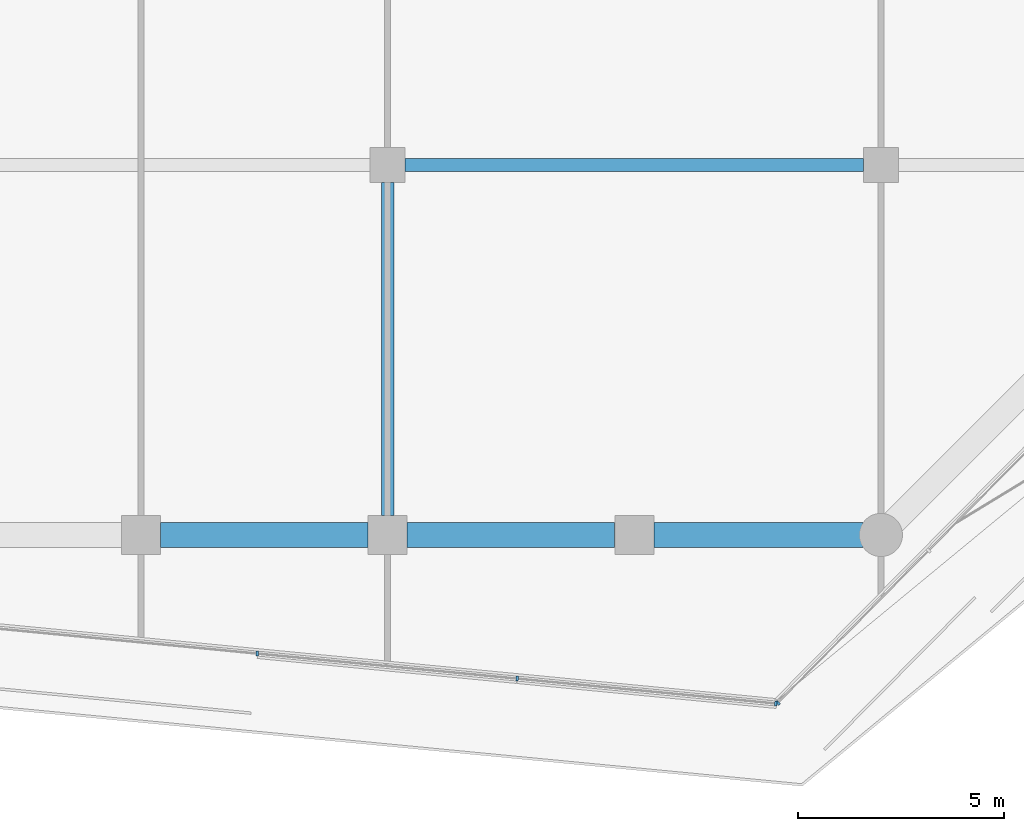
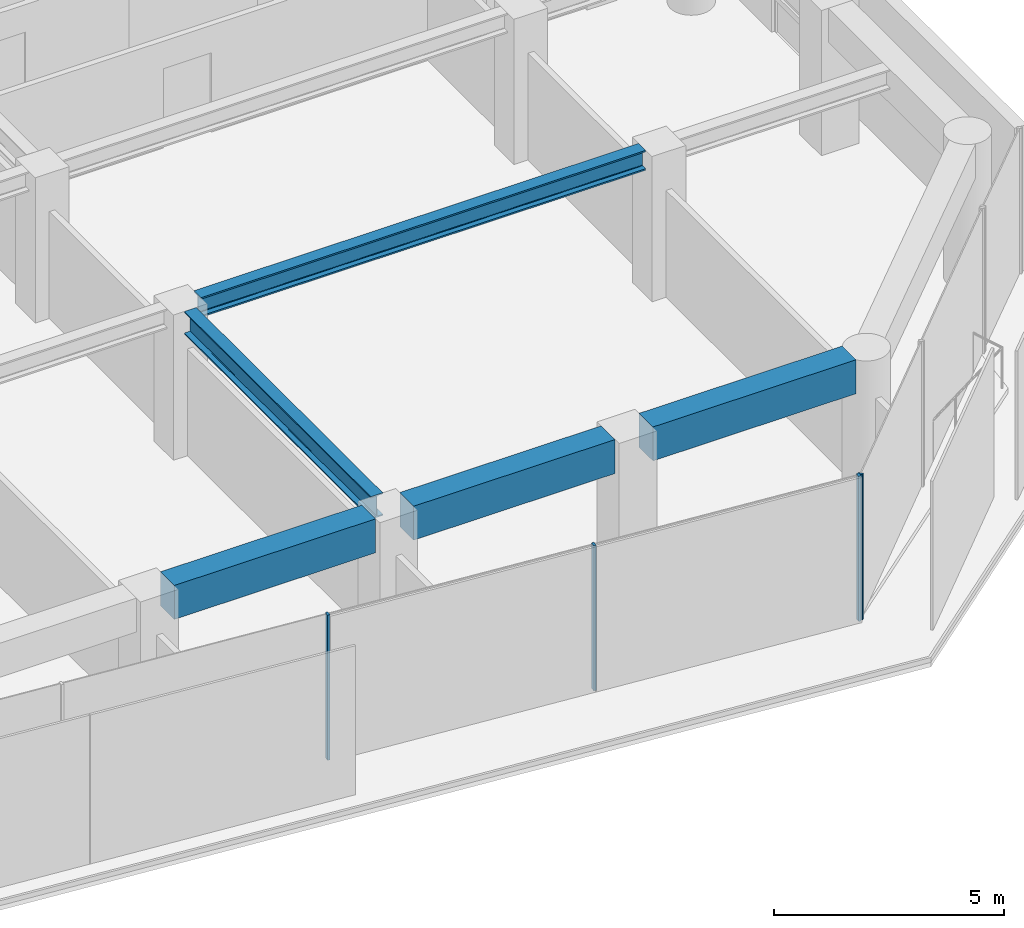
# One storey, part 8 of 31: 5 beams, 4 members, 2 elements without a shape of their own.
"""IFC4 building model written with IfcOpenShell, lengths in metres."""

import ifcopenshell
import ifcopenshell.guid

model = None  # the IFC model being written
_history = None  # IfcOwnerHistory: only IFC2X3 demands one
_inside = {}  # id of a spatial element -> (the spatial element, [elements in it])
_under = {}  # id of a project, library or spatial element -> (it, [spatial elements below it])
_declared = {}  # id of a project -> (the project, [libraries it declares])
_typed = {}  # id of a type object -> (the type object, [elements of that type])
_made_of = {}  # id of a material, layer set ... -> (it, [elements and type objects made of it])


def new_model(schema):
    """Start an empty IFC model of exactly this schema.

    Asked for "IFC4X3", IfcOpenShell would pick the latest addendum, in which some entities
    have other attributes; the version numbers below select the first issue.
    IFC2X3 requires an IfcOwnerHistory on every rooted entity: one is made here for all.
    """
    global model, _history
    if schema == "IFC4X3":
        model = ifcopenshell.file(schema_version=(4, 3, 0, 0))
    else:
        model = ifcopenshell.file(schema=schema)
    _inside.clear()
    _under.clear()
    _declared.clear()
    _typed.clear()
    _made_of.clear()
    _history = None
    if model.schema == "IFC2X3":
        org = make("IfcOrganization", Name="unknown")
        user = make(
            "IfcPersonAndOrganization",
            ThePerson=make("IfcPerson", FamilyName="unknown"),
            TheOrganization=org,
        )
        app = make(
            "IfcApplication",
            ApplicationDeveloper=org,
            Version="unknown",
            ApplicationFullName="unknown",
            ApplicationIdentifier="unknown",
        )
        _history = make(
            "IfcOwnerHistory",
            OwningUser=user,
            OwningApplication=app,
            ChangeAction="ADDED",
            CreationDate=0,
        )
    return model


def make(cls, **values):
    """One entity of the class cls with the attributes given. An attribute that is None is left unset."""
    return model.create_entity(
        cls, **{name: value for name, value in values.items() if value is not None}
    )


def rooted(cls, **values):
    """An entity with a GlobalId (a new one), such as an element, a storey or a relation."""
    return make(cls, GlobalId=ifcopenshell.guid.new(), OwnerHistory=_history, **values)


def si_unit(unit_type, name, prefix=None):
    """IfcSIUnit, for example si_unit("LENGTHUNIT", "METRE", prefix="MILLI")."""
    return make("IfcSIUnit", UnitType=unit_type, Prefix=prefix, Name=name)


def assignment(units):
    """IfcUnitAssignment: the units of a project."""
    return None if units is None else make("IfcUnitAssignment", Units=units)


def point(xyz):
    """IfcCartesianPoint."""
    return None if xyz is None else make("IfcCartesianPoint", Coordinates=xyz)


def direction(xyz):
    """IfcDirection."""
    return None if xyz is None else make("IfcDirection", DirectionRatios=xyz)


def frame(location, z_axis=None, x_axis=None):
    """IfcAxis2Placement3D, a coordinate frame: its origin and axes. An axis left out is left unset."""
    return make(
        "IfcAxis2Placement3D",
        Location=point(location),
        Axis=direction(z_axis),
        RefDirection=direction(x_axis),
    )


def frame_2d(location, x_axis=None):
    """IfcAxis2Placement2D, a coordinate frame in the plane: its origin and x axis."""
    return make(
        "IfcAxis2Placement2D", Location=point(location), RefDirection=direction(x_axis)
    )


def origin():
    """The frame at (0, 0, 0) with its axes left unset."""
    return frame((0.0, 0.0, 0.0))


def origin_2d():
    """The frame at (0, 0) in the plane with its x axis left unset."""
    return frame_2d((0.0, 0.0))


def place(relative_to, where):
    """IfcLocalPlacement: puts the frame where relative to a parent placement (None: the world)."""
    return make(
        "IfcLocalPlacement", PlacementRelTo=relative_to, RelativePlacement=where
    )


def context(
    kind, dimensions, precision=None, world=None, true_north=None, identifier=None
):
    """IfcGeometricRepresentationContext, for example the 3D "Model" context."""
    return make(
        "IfcGeometricRepresentationContext",
        ContextIdentifier=identifier,
        ContextType=kind,
        CoordinateSpaceDimension=dimensions,
        Precision=precision,
        WorldCoordinateSystem=world,
        TrueNorth=true_north,
    )


def subcontext(parent, identifier, kind, view, scale=None):
    """IfcGeometricRepresentationSubContext, for example "Body" below "Model"."""
    return make(
        "IfcGeometricRepresentationSubContext",
        ContextIdentifier=identifier,
        ContextType=kind,
        ParentContext=parent,
        TargetScale=scale,
        TargetView=view,
    )


def project(units=None, contexts=None):
    """IfcProject with its units and contexts."""
    return rooted(
        "IfcProject",
        Name="project",
        RepresentationContexts=contexts,
        UnitsInContext=assignment(units),
    )


def spatial(cls, under=None, at=None, **own):
    """A site, building, storey or space (cls), placed at a placement, below another one or the project."""
    s = rooted(cls, ObjectPlacement=at, **own)
    if under is not None:
        _under.setdefault(under.id(), (under, []))[1].append(s)
    return s


def profile(cls, at=None, kind="AREA", **sizes):
    """A parametric profile (cls). Its sizes go by their IFC names, for example OverallWidth=200.0."""
    return make(cls, ProfileType=kind, Position=at, **sizes)


def rectangle(**sizes):
    """IfcRectangleProfileDef."""
    return profile("IfcRectangleProfileDef", **sizes)


def i_section(**sizes):
    """IfcIShapeProfileDef."""
    return profile("IfcIShapeProfileDef", **sizes)


def extrude(swept, where, along, depth):
    """IfcExtrudedAreaSolid: the profile swept, set in the frame where, extruded along a direction by depth."""
    return make(
        "IfcExtrudedAreaSolid",
        SweptArea=swept,
        Position=where,
        ExtrudedDirection=direction(along),
        Depth=depth,
    )


def shape(context_of_items, identifier, shape_type, items):
    """IfcShapeRepresentation: the items that make up one representation, for example the "Body"."""
    return make(
        "IfcShapeRepresentation",
        ContextOfItems=context_of_items,
        RepresentationIdentifier=identifier,
        RepresentationType=shape_type,
        Items=items,
    )


def material(Name=None, Category=None):
    """IfcMaterial."""
    return make("IfcMaterial", Name=Name, Category=Category)


def layer(
    of_material, thickness, ventilated=None, Name=None, Category=None, Priority=None
):
    """IfcMaterialLayer: one layer of a wall or slab, of a material (None: an air gap)."""
    return make(
        "IfcMaterialLayer",
        Material=of_material,
        LayerThickness=thickness,
        IsVentilated=ventilated,
        Name=Name,
        Category=Category,
        Priority=Priority,
    )


def layer_set(layers, Name=None):
    """IfcMaterialLayerSet."""
    return make("IfcMaterialLayerSet", MaterialLayers=layers, LayerSetName=Name)


def material_profile(
    of_material, cross_section, Name=None, Category=None, Priority=None
):
    """IfcMaterialProfile: a cross section and its material."""
    return make(
        "IfcMaterialProfile",
        Name=Name,
        Material=of_material,
        Profile=cross_section,
        Priority=Priority,
        Category=Category,
    )


def profile_set(profiles, Name=None, composite=None):
    """IfcMaterialProfileSet."""
    return make(
        "IfcMaterialProfileSet",
        Name=Name,
        MaterialProfiles=profiles,
        CompositeProfile=composite,
    )


def made_of(thing, what):
    """Note that an element or type object is made of a material, layer set ...; save() writes the relation."""
    if what is not None:
        _made_of.setdefault(what.id(), (what, []))[1].append(thing)
    return thing


def type_object(cls, material=None, **own):
    """A type object (cls), such as IfcWallType, which elements share."""
    return made_of(rooted(cls, **own), material)


def element(
    cls,
    number,
    at=None,
    inside=None,
    cuts=None,
    type_object=None,
    material=None,
    context=None,
    identifier="Body",
    shape_type=None,
    held_by="IfcProductDefinitionShape",
    body=None,
    shapes=None,
    **own,
):
    """One element of the class cls, such as IfcWall. Its Tag is "e" and its number.

    at: its placement. inside: the storey or other place that contains it. cuts: it is an
    opening in that element (IfcRelVoidsElement). A single representation is given by context,
    identifier, shape_type and body (its items); several are given by shapes. held_by: the class
    of the entity that holds the representations. save() writes the other relations.
    """
    e = rooted(cls, Tag="e%d" % number, ObjectPlacement=at, **own)
    if body is not None:
        shapes = [shape(context, identifier, shape_type, body)]
    if shapes is not None:
        e.Representation = make(held_by, Representations=shapes)
    if inside is not None:
        _inside.setdefault(inside.id(), (inside, []))[1].append(e)
    if cuts is not None:
        rooted(
            "IfcRelVoidsElement", RelatingBuildingElement=cuts, RelatedOpeningElement=e
        )
    if type_object is not None:
        _typed.setdefault(type_object.id(), (type_object, []))[1].append(e)
    return made_of(e, material)


def aggregate(whole, parts):
    """IfcRelAggregates: a whole, such as a stair, and the parts it consists of."""
    return rooted("IfcRelAggregates", RelatingObject=whole, RelatedObjects=parts)


def save(model, path):
    """Write the relations noted so far, then the file.

    IfcRelAggregates (storeys below a building ...), IfcRelContainedInSpatialStructure (elements
    in a storey), IfcRelDefinesByType, IfcRelAssociatesMaterial and IfcRelDeclares: one each for
    every whole, place, type object, material and project.
    """
    for whole, parts in _under.values():
        aggregate(whole, parts)
    for where, things in _inside.values():
        rooted(
            "IfcRelContainedInSpatialStructure",
            RelatedElements=things,
            RelatingStructure=where,
        )
    for kind, things in _typed.values():
        rooted("IfcRelDefinesByType", RelatedObjects=things, RelatingType=kind)
    for what, things in _made_of.values():
        rooted("IfcRelAssociatesMaterial", RelatedObjects=things, RelatingMaterial=what)
    for by, libraries in _declared.values():
        rooted("IfcRelDeclares", RelatingContext=by, RelatedDefinitions=libraries)
    model.write(path)


model = new_model("IFC4")

# Units and contexts
model_context = context("Model", 3, precision=1e-05, world=origin(), true_north=direction((0.0, 1.0)))
body_context = subcontext(model_context, "Body", "Model", "MODEL_VIEW")
ifc_project = project(units=[si_unit("LENGTHUNIT", "METRE"), si_unit("AREAUNIT", "SQUARE_METRE"), si_unit("VOLUMEUNIT", "CUBIC_METRE"), si_unit("PLANEANGLEUNIT", "RADIAN"), si_unit("MASSUNIT", "GRAM", prefix="KILO")], contexts=[model_context])

# Site, building, storey
site_placement = place(None, origin())
site = spatial("IfcSite", under=ifc_project, at=site_placement, CompositionType="ELEMENT")
building_placement = place(site_placement, origin())
building = spatial("IfcBuilding", under=site, at=building_placement, Name="Welwitschia Terrace Campus", CompositionType="ELEMENT")
storey_placement = place(building_placement, frame((0.0, 0.0, 29.0)))
storey = spatial("IfcBuildingStorey", under=building, at=storey_placement, Name="L06", CompositionType="ELEMENT", Elevation=29.0)

# Beam
ifc_material_1 = material(Name="Steel S355", Category="steel")
ifc_material_profile_1 = material_profile(ifc_material_1, i_section(OverallWidth=0.305908203125, OverallDepth=0.52392578125, WebThickness=0.02099609375, FlangeThickness=0.0400390625, FilletRadius=0.027099609375, at=origin_2d()))
ifc_profile_set_1 = profile_set([ifc_material_profile_1], Name="Steel S355")
beam_type_1 = type_object("IfcBeamType", Name="Interior girder HE 500 M", PredefinedType="BEAM", material=ifc_profile_set_1)
beam_1_placement = place(storey_placement, frame((48.425537109375, 5.0, 3.587890625), z_axis=(1.0, 0.0, 0.0), x_axis=(0.0, 1.0, 0.0)))
element("IfcBeam", 1, at=beam_1_placement, inside=storey, type_object=beam_type_1, Name="Girder GB2", PredefinedType="BEAM", context=body_context, shape_type="SweptSolid", body=[
    extrude(i_section(OverallWidth=0.305908203125, OverallDepth=0.52392578125, WebThickness=0.02099609375, FlangeThickness=0.0400390625, FilletRadius=0.027099609375, at=origin_2d()), origin(), (0.0, 0.0, 1.0), 11.14892578125),
])

# Curtain wall, members
ifc_material_2 = material(Name="Bronze anodised aluminium", Category="aluminium")
ifc_layer = layer(ifc_material_2, 0.1201171875)
ifc_layer_set = layer_set([ifc_layer], Name="Bronze anodised aluminium")
curtain_wall_type = type_object("IfcCurtainWallType", Name="Curtain wall CW2 tower 6000", PredefinedType="NOTDEFINED", material=ifc_layer_set)
curtain_wall_1_placement = place(storey_placement, origin())
curtain_wall_1 = element("IfcCurtainWall", 2, at=curtain_wall_1_placement, inside=storey, type_object=curtain_wall_type, Name="CW L06.4.0", PredefinedType="NOTDEFINED")
ifc_material_3 = material(Name="Bronze anodised aluminium", Category="aluminium")
ifc_material_profile_2 = material_profile(ifc_material_3, rectangle(XDim=0.1201171875, YDim=0.06005859375, at=origin_2d()))
ifc_profile_set_2 = profile_set([ifc_material_profile_2], Name="Bronze anodised aluminium")
member_type = type_object("IfcMemberType", Name="Mullion 60x120", PredefinedType="MULLION", material=ifc_profile_set_2)
member_1_placement = place(storey_placement, frame((44.827392578125, -6.884521484375, 0.0), z_axis=(0.0, 0.0, 1.0), x_axis=(0.09584575252, 0.995396198367, 0.0)))
member_1 = element("IfcMember", 3, at=member_1_placement, type_object=member_type, Name="Mullion L06.4.0.3", PredefinedType="MULLION", context=body_context, shape_type="SweptSolid", body=[
    extrude(rectangle(XDim=0.1201171875, YDim=0.06005859375, at=origin_2d()), origin(), (0.0, 0.0, 1.0), 3.85009765625),
])
member_2_placement = place(storey_placement, frame((51.150390625, -7.4931640625, 0.0), z_axis=(0.0, 0.0, 1.0), x_axis=(0.09584575252, 0.995396198367, 0.0)))
member_2 = element("IfcMember", 4, at=member_2_placement, type_object=member_type, Name="Mullion L06.4.0.4", PredefinedType="MULLION", context=body_context, shape_type="SweptSolid", body=[
    extrude(rectangle(XDim=0.1201171875, YDim=0.06005859375, at=origin_2d()), origin(), (0.0, 0.0, 1.0), 3.85009765625),
])
member_3_placement = place(storey_placement, frame((57.443359375, -8.09912109375, 0.0), z_axis=(0.0, 0.0, 1.0), x_axis=(0.09584575252, 0.995396198367, 0.0)))
member_3 = element("IfcMember", 5, at=member_3_placement, type_object=member_type, Name="Mullion L06.4.0.5", PredefinedType="MULLION", context=body_context, shape_type="SweptSolid", body=[
    extrude(rectangle(XDim=0.1201171875, YDim=0.06005859375, at=origin_2d()), origin(), (0.0, 0.0, 1.0), 3.85009765625),
])
aggregate(curtain_wall_1, [member_1, member_2, member_3])

# Curtain wall, member
curtain_wall_2_placement = place(storey_placement, origin())
curtain_wall_2 = element("IfcCurtainWall", 6, at=curtain_wall_2_placement, inside=storey, type_object=curtain_wall_type, Name="CW L06.5.0", PredefinedType="NOTDEFINED")
member_4_placement = place(storey_placement, frame((57.494140625, -8.080810546875, 0.0), z_axis=(0.0, 0.0, 1.0), x_axis=(-0.710866184586, 0.703327283427, 0.0)))
member_4 = element("IfcMember", 7, at=member_4_placement, type_object=member_type, Name="Mullion L06.5.0.0", PredefinedType="MULLION", context=body_context, shape_type="SweptSolid", body=[
    extrude(rectangle(XDim=0.1201171875, YDim=0.06005859375, at=origin_2d()), origin(), (0.0, 0.0, 1.0), 3.85009765625),
])
aggregate(curtain_wall_2, [member_4])

# Beams
ifc_material_4 = material(Name="Steel S355", Category="steel")
ifc_material_profile_3 = material_profile(ifc_material_4, i_section(OverallWidth=0.300048828125, OverallDepth=0.60009765625, WebThickness=0.015380859375, FlangeThickness=0.030029296875, FilletRadius=0.027099609375, at=origin_2d()))
ifc_profile_set_3 = profile_set([ifc_material_profile_3], Name="Steel S355")
beam_type_2 = type_object("IfcBeamType", Name="Primary beam HE 600 B", PredefinedType="BEAM", material=ifc_profile_set_3)
beam_2_placement = place(storey_placement, frame((48.0, -3.5244140625, 3.550048828125), z_axis=(0.0, 1.0, 0.0), x_axis=(-1.0, 0.0, 0.0)))
element("IfcBeam", 8, at=beam_2_placement, inside=storey, type_object=beam_type_2, Name="Primary beam PB2", PredefinedType="BEAM", context=body_context, shape_type="SweptSolid", body=[
    extrude(i_section(OverallWidth=0.300048828125, OverallDepth=0.60009765625, WebThickness=0.015380859375, FlangeThickness=0.030029296875, FilletRadius=0.027099609375, at=origin_2d()), origin(), (0.0, 0.0, 1.0), 8.098876953125),
])
ifc_material_5 = material(Name="Concrete C60/75", Category="concrete")
ifc_material_profile_4 = material_profile(ifc_material_5, rectangle(XDim=0.60009765625, YDim=0.89990234375, at=origin_2d()))
ifc_profile_set_4 = profile_set([ifc_material_profile_4], Name="Concrete C60/75")
beam_type_3 = type_object("IfcBeamType", Name="Ring spandrel 600x900", PredefinedType="SPANDREL", material=ifc_profile_set_4)
for number, where, z_axis, x_axis, name in (
    (9, (42.4755859375, -4.0, 3.39990234375), (1.0, 0.0, 0.0), (0.0, 1.0, 0.0), "Spandrel SP2"),
    (10, (48.4755859375, -4.0, 3.39990234375), (1.0, 0.0, 0.0), (0.0, 1.0, 0.0), "Spandrel SP2"),
):
    element("IfcBeam", number, at=place(storey_placement, frame(where, z_axis=z_axis, x_axis=x_axis)), inside=storey, type_object=beam_type_3, Name=name, PredefinedType="SPANDREL", context=body_context, shape_type="SweptSolid", body=[
        extrude(rectangle(XDim=0.60009765625, YDim=0.89990234375, at=origin_2d()), origin(), (0.0, 0.0, 1.0), 5.048828125),
    ])
beam_3_placement = place(storey_placement, frame((54.4755859375, -4.0, 3.39990234375), z_axis=(1.0, 0.0, 0.0), x_axis=(0.0, 1.0, 0.0)))
element("IfcBeam", 11, at=beam_3_placement, inside=storey, type_object=beam_type_3, Name="Spandrel SP2", PredefinedType="SPANDREL", context=body_context, shape_type="SweptSolid", body=[
    extrude(rectangle(XDim=0.60009765625, YDim=0.89990234375, at=origin_2d()), origin(), (0.0, 0.0, 1.0), 5.093017578125),
])

save(model, "model.ifc")
